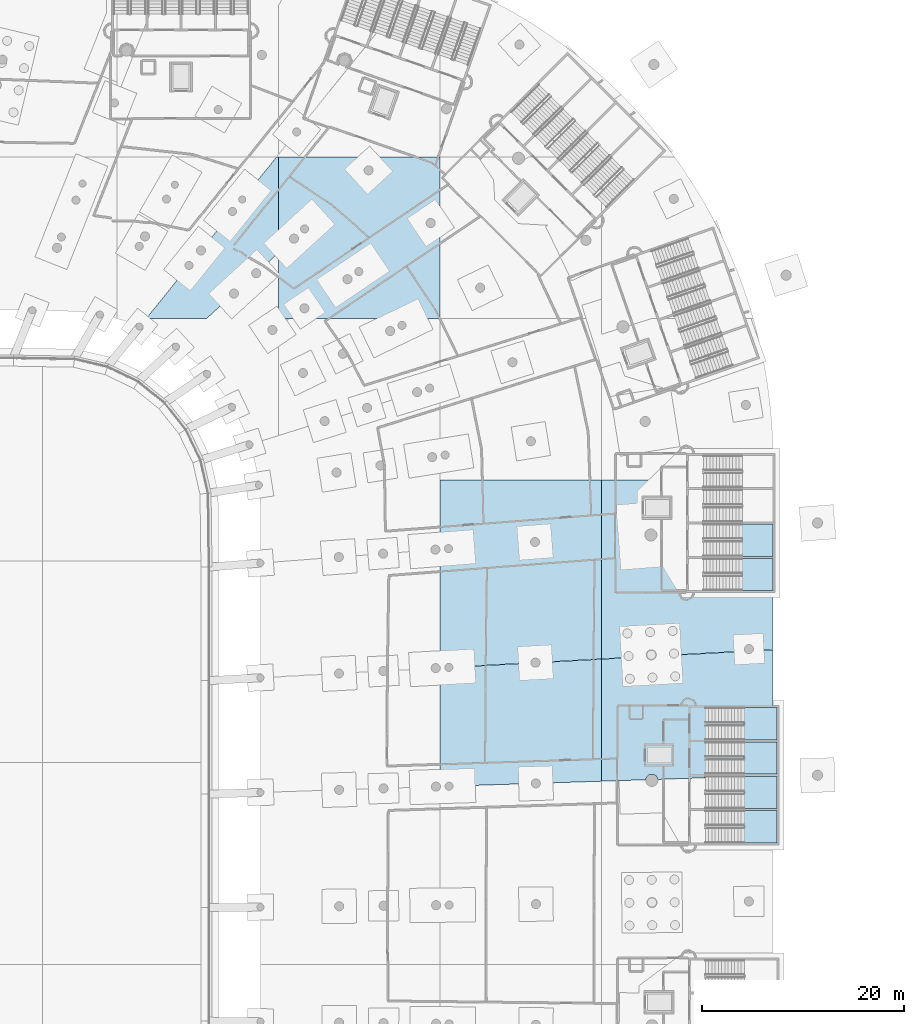
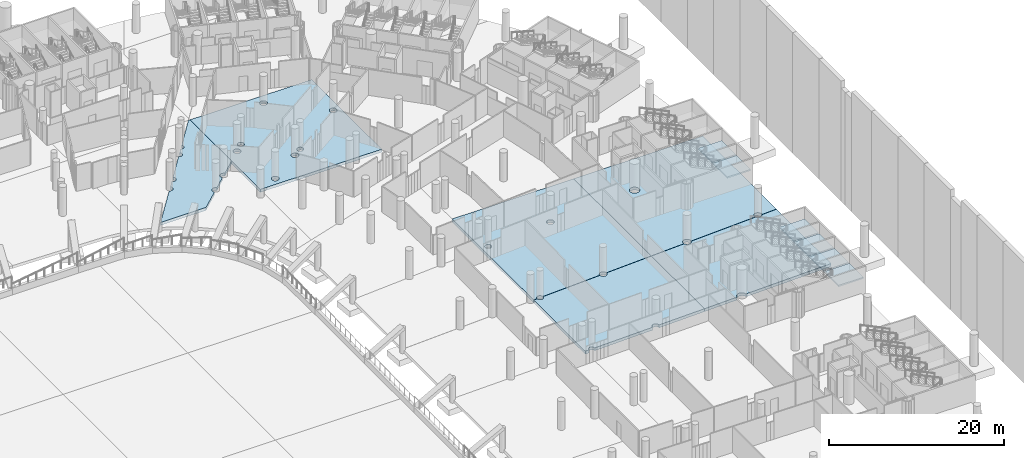
# One storey, part 32 of 142: 12 slabs, 6 elements without a shape of their own.
"""IFC4 building model written with IfcOpenShell, lengths in metres."""

from ifc_helpers import new_model, si_unit, direction, frame, origin, place, context, subcontext, project, spatial, polyline, outline, extrude, material, layer, layer_set, type_object, element, aggregate, save


model = new_model("IFC4")

# Units and contexts
model_context = context("Model", 3, precision=1e-05, world=origin(), true_north=direction((0.0, 1.0)))
body_context = subcontext(model_context, "Body", "Model", "MODEL_VIEW")
ifc_project = project(units=[si_unit("LENGTHUNIT", "METRE"), si_unit("AREAUNIT", "SQUARE_METRE"), si_unit("VOLUMEUNIT", "CUBIC_METRE"), si_unit("PLANEANGLEUNIT", "RADIAN"), si_unit("MASSUNIT", "GRAM", prefix="KILO")], contexts=[model_context])

# Site, building, storey
site_placement = place(None, origin())
site = spatial("IfcSite", under=ifc_project, at=site_placement, CompositionType="ELEMENT")
building_placement = place(site_placement, origin())
building = spatial("IfcBuilding", under=site, at=building_placement, Name="Meseta Stadium", CompositionType="ELEMENT")
storey_placement = place(building_placement, frame((0.0, 0.0, -4.0)))
storey = spatial("IfcBuildingStorey", under=building, at=storey_placement, Name="B1", CompositionType="ELEMENT", Elevation=-4.0)

# Slabs
ifc_material_1 = material(Name="Concrete C30/37", Category="concrete")
ifc_layer_1 = layer(ifc_material_1, 0.39990234375)
ifc_layer_set_1 = layer_set([ifc_layer_1], Name="Base slab 400")
slab_type_1 = type_object("IfcSlabType", Name="Base slab 400", PredefinedType="BASESLAB", material=ifc_layer_set_1)
slab_1_placement = place(storey_placement, frame((0.0, 0.0, -0.39990234375)))
element("IfcSlab", 1, at=slab_1_placement, inside=storey, type_object=slab_type_1, Name="Base slab B1 sector 00 panel 07", PredefinedType="BASESLAB", context=body_context, shape_type="SweptSolid", body=[
    extrude(outline(polyline([(64.018310546875, 29.3623046875), (64.009521484375, 29.27392578125), (64.0, 29.2421875), (64.0, 17.801513671875), (64.005615234375, 17.791015625), (64.03125, 17.706298828125), (64.03857421875, 17.6328125), (64.486328125, 17.647705078125), (64.485107421875, 17.660888671875), (64.492919921875, 17.7392578125), (64.515625, 17.814697265625), (64.552978515625, 17.884033203125), (64.602783203125, 17.945068359375), (64.663818359375, 17.9951171875), (64.7333984375, 18.031982421875), (64.80859375, 18.054931640625), (64.88720703125, 18.062744140625), (64.965576171875, 18.054931640625), (65.041015625, 18.031982421875), (65.1103515625, 17.9951171875), (65.17138671875, 17.945068359375), (65.22119140625, 17.884033203125), (65.25830078125, 17.814697265625), (65.28125, 17.7392578125), (65.28759765625, 17.673828125), (73.03173828125, 17.9287109375), (73.0302734375, 17.943603515625), (73.038818359375, 18.03173828125), (73.064697265625, 18.116455078125), (73.1064453125, 18.194580078125), (73.16259765625, 18.26318359375), (73.231201171875, 18.319580078125), (73.309326171875, 18.361328125), (73.394287109375, 18.386962890625), (73.482421875, 18.395751953125), (73.570556640625, 18.386962890625), (73.655517578125, 18.361328125), (73.733642578125, 18.319580078125), (73.80224609375, 18.26318359375), (73.8583984375, 18.194580078125), (73.900146484375, 18.116455078125), (73.92578125, 18.03173828125), (73.93310546875, 17.958251953125), (80.0, 18.157958984375), (80.0, 30.253173828125), (73.902099609375, 29.918701171875), (73.9033203125, 29.904052734375), (73.894775390625, 29.81591796875), (73.868896484375, 29.731201171875), (73.8271484375, 29.65283203125), (73.77099609375, 29.58447265625), (73.702392578125, 29.5283203125), (73.624267578125, 29.486328125), (73.53955078125, 29.460693359375), (73.451416015625, 29.451904296875), (73.363037109375, 29.460693359375), (73.2783203125, 29.486328125), (73.2001953125, 29.5283203125), (73.131591796875, 29.58447265625), (73.0751953125, 29.65283203125), (73.033447265625, 29.731201171875), (73.0078125, 29.81591796875), (73.00244140625, 29.869384765625), (65.264892578125, 29.4453125), (65.26611328125, 29.433349609375), (65.25830078125, 29.35498046875), (65.235595703125, 29.279541015625), (65.198486328125, 29.2099609375), (65.1484375, 29.149169921875), (65.08740234375, 29.09912109375), (65.01806640625, 29.06201171875), (64.942626953125, 29.0390625), (64.8642578125, 29.031494140625), (64.78564453125, 29.0390625), (64.710205078125, 29.06201171875), (64.640869140625, 29.09912109375), (64.580078125, 29.149169921875), (64.530029296875, 29.2099609375), (64.492919921875, 29.279541015625), (64.469970703125, 29.35498046875), (64.46533203125, 29.401611328125), (64.016845703125, 29.376953125), (64.018310546875, 29.3623046875)])), origin(), (0.0, 0.0, 1.0), 0.39990234375),
])
slab_2_placement = place(storey_placement, frame((0.0, 0.0, -0.39990234375)))
element("IfcSlab", 2, at=slab_2_placement, inside=storey, type_object=slab_type_1, Name="Base slab B1 sector 00 panel 15", PredefinedType="BASESLAB", context=body_context, shape_type="SweptSolid", body=[
    extrude(outline(polyline([(84.570068359375, 30.326416015625), (84.507568359375, 30.402587890625), (84.461181640625, 30.489501953125), (84.458740234375, 30.49755859375), (80.0, 30.253173828125), (80.0, 18.157958984375), (84.381591796875, 18.302001953125), (84.38720703125, 18.361083984375), (84.421630859375, 18.474365234375), (84.477294921875, 18.57861328125), (84.55224609375, 18.669921875), (84.643798828125, 18.744873046875), (84.747802734375, 18.800537109375), (84.861083984375, 18.8349609375), (84.978515625, 18.846435546875), (85.09619140625, 18.8349609375), (85.209228515625, 18.800537109375), (85.313720703125, 18.744873046875), (85.40478515625, 18.669921875), (85.47998046875, 18.57861328125), (85.53564453125, 18.474365234375), (85.56982421875, 18.361083984375), (85.572021484375, 18.34130859375), (97.00048828125, 18.717041015625), (97.00146484375, 31.185302734375), (95.017578125, 31.076416015625), (94.97607421875, 30.998779296875), (94.919677734375, 30.930419921875), (94.851318359375, 30.8740234375), (94.77294921875, 30.832275390625), (94.688232421875, 30.806396484375), (94.60009765625, 30.7978515625), (94.51171875, 30.806396484375), (94.427001953125, 30.832275390625), (94.348876953125, 30.8740234375), (94.2802734375, 30.930419921875), (94.22412109375, 30.998779296875), (94.206298828125, 31.031982421875), (85.40771484375, 30.549560546875), (85.389404296875, 30.489501953125), (85.343017578125, 30.402587890625), (85.280517578125, 30.326416015625), (85.20458984375, 30.263916015625), (85.11767578125, 30.217529296875), (85.023193359375, 30.18896484375), (84.92529296875, 30.17919921875), (84.827392578125, 30.18896484375), (84.733154296875, 30.217529296875), (84.646240234375, 30.263916015625), (84.570068359375, 30.326416015625)])), origin(), (0.0, 0.0, 1.0), 0.39990234375),
])
slab_3_placement = place(storey_placement, frame((0.0, 0.0, -0.39990234375)))
element("IfcSlab", 3, at=slab_3_placement, inside=storey, type_object=slab_type_1, Name="Base slab B1 sector 07 panel 01", PredefinedType="BASESLAB", context=body_context, shape_type="SweptSolid", body=[
    extrude(outline(polyline([(38.895263671875, 68.9404296875), (38.875, 68.95703125), (34.87451171875, 64.0), (40.861572265625, 64.0), (43.237060546875, 66.174560546875), (43.193359375, 66.2275390625), (43.151611328125, 66.305908203125), (43.1259765625, 66.390625), (43.1171875, 66.478759765625), (43.1259765625, 66.56689453125), (43.151611328125, 66.65185546875), (43.193359375, 66.72998046875), (43.249755859375, 66.798583984375), (43.318115234375, 66.854736328125), (43.396484375, 66.896484375), (43.481201171875, 66.92236328125), (43.5693359375, 66.930908203125), (43.65771484375, 66.92236328125), (43.742431640625, 66.896484375), (43.820556640625, 66.854736328125), (43.88916015625, 66.798583984375), (43.90185546875, 66.783203125), (45.444580078125, 68.195556640625), (45.401123046875, 68.24853515625), (45.359375, 68.326904296875), (45.33349609375, 68.41162109375), (45.324951171875, 68.499755859375), (45.33349609375, 68.587890625), (45.359375, 68.6728515625), (45.401123046875, 68.7509765625), (45.45751953125, 68.819580078125), (45.52587890625, 68.875732421875), (45.60400390625, 68.91748046875), (45.68896484375, 68.943359375), (45.777099609375, 68.951904296875), (45.865234375, 68.943359375), (45.9501953125, 68.91748046875), (46.0283203125, 68.875732421875), (46.096923828125, 68.819580078125), (46.109619140625, 68.80419921875), (48.0, 70.53466796875), (48.0, 80.0), (47.787353515625, 80.0), (44.61767578125, 76.072509765625), (44.638671875, 76.05517578125), (44.6826171875, 76.001708984375), (44.715087890625, 75.94091796875), (44.735107421875, 75.875), (44.74169921875, 75.806396484375), (44.735107421875, 75.73779296875), (44.715087890625, 75.671875), (44.6826171875, 75.611083984375), (44.638671875, 75.5576171875), (44.58544921875, 75.513916015625), (44.524658203125, 75.4814453125), (44.458740234375, 75.46142578125), (44.389892578125, 75.45458984375), (44.3212890625, 75.46142578125), (44.255615234375, 75.4814453125), (44.194580078125, 75.513916015625), (44.177978515625, 75.527587890625), (43.689453125, 74.92236328125), (43.714599609375, 74.901611328125), (43.7646484375, 74.8408203125), (43.8017578125, 74.771240234375), (43.82470703125, 74.69580078125), (43.83251953125, 74.617431640625), (43.82470703125, 74.5390625), (43.8017578125, 74.463623046875), (43.7646484375, 74.39404296875), (43.714599609375, 74.333251953125), (43.65380859375, 74.283203125), (43.584228515625, 74.24609375), (43.5087890625, 74.22314453125), (43.430419921875, 74.215576171875), (43.35205078125, 74.22314453125), (43.276611328125, 74.24609375), (43.207275390625, 74.283203125), (43.18701171875, 74.2998046875), (40.59814453125, 71.092041015625), (40.627685546875, 71.06787109375), (40.683837890625, 70.99951171875), (40.7255859375, 70.921142578125), (40.751220703125, 70.83642578125), (40.760009765625, 70.748291015625), (40.751220703125, 70.659912109375), (40.7255859375, 70.5751953125), (40.683837890625, 70.4970703125), (40.627685546875, 70.428466796875), (40.55908203125, 70.372314453125), (40.48095703125, 70.330322265625), (40.39599609375, 70.3046875), (40.307861328125, 70.2958984375), (40.219482421875, 70.3046875), (40.134765625, 70.330322265625), (40.056640625, 70.372314453125), (40.032958984375, 70.3916015625), (39.377685546875, 69.57958984375), (39.40283203125, 69.558837890625), (39.452880859375, 69.498046875), (39.489990234375, 69.428466796875), (39.5126953125, 69.35302734375), (39.5205078125, 69.274658203125), (39.5126953125, 69.1962890625), (39.489990234375, 69.120849609375), (39.452880859375, 69.051513671875), (39.40283203125, 68.990478515625), (39.341796875, 68.9404296875), (39.2724609375, 68.9033203125), (39.197021484375, 68.880615234375), (39.11865234375, 68.872802734375), (39.040283203125, 68.880615234375), (38.96484375, 68.9033203125), (38.895263671875, 68.9404296875)])), origin(), (0.0, 0.0, 1.0), 0.39990234375),
])
slab_4_placement = place(storey_placement, frame((0.0, 0.0, -0.39990234375)))
element("IfcSlab", 4, at=slab_4_placement, inside=storey, type_object=slab_type_1, Name="Base slab B1 sector 07 panel 06", PredefinedType="BASESLAB", context=body_context, shape_type="SweptSolid", body=[
    extrude(outline(polyline([(48.0, 80.0), (48.0, 64.0), (64.0, 64.0), (64.0, 80.0), (48.0, 80.0)]), holes=[polyline([(63.156494140625, 73.913330078125), (63.2412109375, 73.8876953125), (63.3193359375, 73.845703125), (63.387939453125, 73.78955078125), (63.44287109375, 73.72265625), (63.48583984375, 73.642822265625), (63.51171875, 73.55810546875), (63.5205078125, 73.469970703125), (63.51171875, 73.381591796875), (63.48583984375, 73.296875), (63.444091796875, 73.218505859375), (63.387939453125, 73.150146484375), (63.3193359375, 73.093994140625), (63.2412109375, 73.052001953125), (63.156494140625, 73.0263671875), (63.068115234375, 73.017578125), (62.97998046875, 73.0263671875), (62.89501953125, 73.052001953125), (62.81689453125, 73.093994140625), (62.748291015625, 73.150146484375), (62.693603515625, 73.217041015625), (62.650390625, 73.296875), (62.624755859375, 73.381591796875), (62.615966796875, 73.469970703125), (62.624755859375, 73.55810546875), (62.650390625, 73.642822265625), (62.692138671875, 73.72119140625), (62.748291015625, 73.78955078125), (62.81689453125, 73.845703125), (62.89501953125, 73.8876953125), (62.97998046875, 73.913330078125), (63.068115234375, 73.922119140625), (63.156494140625, 73.913330078125)]), polyline([(56.018798828125, 69.05224609375), (56.093994140625, 69.029296875), (56.16357421875, 68.9921875), (56.224609375, 68.9423828125), (56.273193359375, 68.8828125), (56.3115234375, 68.81201171875), (56.33447265625, 68.736572265625), (56.34228515625, 68.658203125), (56.33447265625, 68.57958984375), (56.3115234375, 68.50439453125), (56.2744140625, 68.434814453125), (56.224609375, 68.373779296875), (56.16357421875, 68.323974609375), (56.093994140625, 68.28662109375), (56.018798828125, 68.263916015625), (55.940185546875, 68.256103515625), (55.86181640625, 68.263916015625), (55.78662109375, 68.28662109375), (55.717041015625, 68.323974609375), (55.656005859375, 68.373779296875), (55.607421875, 68.433349609375), (55.56884765625, 68.50439453125), (55.546142578125, 68.57958984375), (55.538330078125, 68.658203125), (55.546142578125, 68.736572265625), (55.56884765625, 68.81201171875), (55.606201171875, 68.88134765625), (55.656005859375, 68.9423828125), (55.717041015625, 68.9921875), (55.78662109375, 69.029296875), (55.86181640625, 69.05224609375), (55.940185546875, 69.06005859375), (56.018798828125, 69.05224609375)]), polyline([(54.90771484375, 68.344970703125), (54.99267578125, 68.3193359375), (55.07080078125, 68.277587890625), (55.139404296875, 68.22119140625), (55.194091796875, 68.154541015625), (55.2373046875, 68.07470703125), (55.26318359375, 67.98974609375), (55.271728515625, 67.901611328125), (55.26318359375, 67.813232421875), (55.2373046875, 67.728515625), (55.195556640625, 67.650390625), (55.139404296875, 67.581787109375), (55.07080078125, 67.525634765625), (54.99267578125, 67.48388671875), (54.90771484375, 67.4580078125), (54.819580078125, 67.449462890625), (54.7314453125, 67.4580078125), (54.646484375, 67.48388671875), (54.568359375, 67.525634765625), (54.5, 67.581787109375), (54.445068359375, 67.648681640625), (54.40185546875, 67.728515625), (54.376220703125, 67.813232421875), (54.367431640625, 67.901611328125), (54.376220703125, 67.98974609375), (54.40185546875, 68.07470703125), (54.443603515625, 68.15283203125), (54.5, 68.22119140625), (54.568359375, 68.277587890625), (54.646484375, 68.3193359375), (54.7314453125, 68.344970703125), (54.819580078125, 68.353759765625), (54.90771484375, 68.344970703125)]), polyline([(50.64111328125, 65.46484375), (50.72607421875, 65.43896484375), (50.80419921875, 65.397216796875), (50.872802734375, 65.341064453125), (50.927490234375, 65.274169921875), (50.970703125, 65.1943359375), (50.996337890625, 65.109619140625), (51.005126953125, 65.021240234375), (50.996337890625, 64.93310546875), (50.970703125, 64.84814453125), (50.928955078125, 64.77001953125), (50.872802734375, 64.701416015625), (50.80419921875, 64.645263671875), (50.72607421875, 64.603515625), (50.64111328125, 64.577880859375), (50.552978515625, 64.569091796875), (50.464599609375, 64.577880859375), (50.3798828125, 64.603515625), (50.3017578125, 64.645263671875), (50.233154296875, 64.701416015625), (50.178466796875, 64.768310546875), (50.13525390625, 64.84814453125), (50.109375, 64.93310546875), (50.100830078125, 65.021240234375), (50.109375, 65.109619140625), (50.13525390625, 65.1943359375), (50.177001953125, 65.2724609375), (50.233154296875, 65.341064453125), (50.3017578125, 65.397216796875), (50.3798828125, 65.43896484375), (50.464599609375, 65.46484375), (50.552978515625, 65.473388671875), (50.64111328125, 65.46484375)]), polyline([(49.198486328125, 72.244384765625), (49.26708984375, 72.300537109375), (49.34521484375, 72.34228515625), (49.43017578125, 72.3681640625), (49.518310546875, 72.376708984375), (49.606689453125, 72.3681640625), (49.69140625, 72.34228515625), (49.76953125, 72.300537109375), (49.838134765625, 72.244384765625), (49.894287109375, 72.17578125), (49.93603515625, 72.09765625), (49.9619140625, 72.0126953125), (49.970458984375, 71.924560546875), (49.9619140625, 71.83642578125), (49.93603515625, 71.751708984375), (49.894287109375, 71.67333984375), (49.838134765625, 71.60498046875), (49.76953125, 71.548583984375), (49.69140625, 71.5068359375), (49.606689453125, 71.481201171875), (49.518310546875, 71.472412109375), (49.43017578125, 71.481201171875), (49.34521484375, 71.5068359375), (49.26708984375, 71.548583984375), (49.198486328125, 71.60498046875), (49.142333984375, 71.67333984375), (49.1005859375, 71.751708984375), (49.074951171875, 71.83642578125), (49.066162109375, 71.924560546875), (49.074951171875, 72.0126953125), (49.1005859375, 72.09765625), (49.142333984375, 72.17578125), (49.198486328125, 72.244384765625)]), polyline([(56.826904296875, 79.13916015625), (56.9150390625, 79.14794921875), (57.003173828125, 79.13916015625), (57.088134765625, 79.113525390625), (57.166259765625, 79.07177734375), (57.23486328125, 79.015380859375), (57.291015625, 78.947021484375), (57.332763671875, 78.868896484375), (57.3583984375, 78.783935546875), (57.3671875, 78.69580078125), (57.3583984375, 78.607421875), (57.332763671875, 78.522705078125), (57.291015625, 78.444580078125), (57.23486328125, 78.3759765625), (57.166259765625, 78.319580078125), (57.088134765625, 78.278076171875), (57.003173828125, 78.252197265625), (56.9150390625, 78.243408203125), (56.826904296875, 78.252197265625), (56.741943359375, 78.278076171875), (56.663818359375, 78.319580078125), (56.59521484375, 78.3759765625), (56.5390625, 78.444580078125), (56.497314453125, 78.522705078125), (56.471435546875, 78.607421875), (56.462890625, 78.69580078125), (56.471435546875, 78.783935546875), (56.497314453125, 78.868896484375), (56.5390625, 78.947021484375), (56.59521484375, 79.015380859375), (56.663818359375, 79.07177734375), (56.741943359375, 79.113525390625), (56.826904296875, 79.13916015625)]), polyline([(50.4931640625, 73.282958984375), (50.571533203125, 73.290771484375), (50.64990234375, 73.282958984375), (50.725341796875, 73.260009765625), (50.794921875, 73.222900390625), (50.855712890625, 73.173095703125), (50.90576171875, 73.112060546875), (50.94287109375, 73.04248046875), (50.9658203125, 72.96728515625), (50.973388671875, 72.888916015625), (50.9658203125, 72.810302734375), (50.94287109375, 72.735107421875), (50.90576171875, 72.66552734375), (50.855712890625, 72.6044921875), (50.794921875, 72.5546875), (50.725341796875, 72.517333984375), (50.64990234375, 72.49462890625), (50.571533203125, 72.48681640625), (50.4931640625, 72.49462890625), (50.417724609375, 72.517333984375), (50.348388671875, 72.5546875), (50.287353515625, 72.6044921875), (50.2373046875, 72.66552734375), (50.2001953125, 72.735107421875), (50.177490234375, 72.810302734375), (50.169677734375, 72.888916015625), (50.177490234375, 72.96728515625), (50.2001953125, 73.04248046875), (50.2373046875, 73.112060546875), (50.287353515625, 73.173095703125), (50.348388671875, 73.222900390625), (50.417724609375, 73.260009765625), (50.4931640625, 73.282958984375)])]), origin(), (0.0, 0.0, 1.0), 0.39990234375),
])
slab_5_placement = place(storey_placement, frame((0.0, 0.0, -0.39990234375)))
element("IfcSlab", 5, at=slab_5_placement, inside=storey, type_object=slab_type_1, Name="Base slab B1 sector 07 panel 09", PredefinedType="BASESLAB", context=body_context, shape_type="SweptSolid", body=[
    extrude(outline(polyline([(73.702392578125, 30.280029296875), (73.77099609375, 30.223876953125), (73.8271484375, 30.1552734375), (73.868896484375, 30.0771484375), (73.894775390625, 29.9921875), (73.89990234375, 29.938720703125), (80.0, 30.273193359375), (80.0, 48.0), (64.0, 48.0), (64.0, 29.482177734375), (64.009521484375, 29.450439453125), (64.014892578125, 29.396728515625), (64.46337890625, 29.42138671875), (64.462158203125, 29.433349609375), (64.469970703125, 29.51171875), (64.492919921875, 29.587158203125), (64.530029296875, 29.656494140625), (64.580078125, 29.717529296875), (64.640869140625, 29.767578125), (64.710205078125, 29.8046875), (64.78564453125, 29.82763671875), (64.8642578125, 29.835205078125), (64.942626953125, 29.82763671875), (65.01806640625, 29.8046875), (65.08740234375, 29.767578125), (65.1484375, 29.717529296875), (65.198486328125, 29.656494140625), (65.235595703125, 29.587158203125), (65.25830078125, 29.51171875), (65.262939453125, 29.465087890625), (73.00048828125, 29.889404296875), (72.9990234375, 29.904052734375), (73.0078125, 29.9921875), (73.033447265625, 30.0771484375), (73.0751953125, 30.1552734375), (73.131591796875, 30.223876953125), (73.2001953125, 30.280029296875), (73.2783203125, 30.322021484375), (73.363037109375, 30.34765625), (73.451416015625, 30.356201171875), (73.53955078125, 30.34765625), (73.624267578125, 30.322021484375), (73.702392578125, 30.280029296875)]), holes=[polyline([(64.45849609375, 41.05029296875), (64.435791015625, 41.12548828125), (64.427978515625, 41.2041015625), (64.435791015625, 41.282470703125), (64.45849609375, 41.35791015625), (64.49560546875, 41.427490234375), (64.545654296875, 41.48828125), (64.606689453125, 41.5380859375), (64.676025390625, 41.575439453125), (64.75146484375, 41.598388671875), (64.829833984375, 41.60595703125), (64.908203125, 41.598388671875), (64.983642578125, 41.575439453125), (65.05322265625, 41.5380859375), (65.114013671875, 41.48828125), (65.1640625, 41.427490234375), (65.201171875, 41.35791015625), (65.22412109375, 41.282470703125), (65.231689453125, 41.2041015625), (65.22412109375, 41.12548828125), (65.201171875, 41.05029296875), (65.1640625, 40.980712890625), (65.114013671875, 40.919921875), (65.05322265625, 40.869873046875), (64.983642578125, 40.832763671875), (64.908203125, 40.809814453125), (64.829833984375, 40.802001953125), (64.75146484375, 40.809814453125), (64.676025390625, 40.832763671875), (64.606689453125, 40.869873046875), (64.545654296875, 40.919921875), (64.49560546875, 40.980712890625), (64.45849609375, 41.05029296875)]), polyline([(72.98681640625, 41.689208984375), (72.961181640625, 41.77392578125), (72.952392578125, 41.8623046875), (72.961181640625, 41.950439453125), (72.98681640625, 42.03515625), (73.02880859375, 42.11328125), (73.0849609375, 42.181884765625), (73.153564453125, 42.23828125), (73.231689453125, 42.280029296875), (73.31640625, 42.3056640625), (73.40478515625, 42.314453125), (73.492919921875, 42.3056640625), (73.57763671875, 42.280029296875), (73.656005859375, 42.23828125), (73.724365234375, 42.181884765625), (73.78076171875, 42.11328125), (73.822509765625, 42.03515625), (73.84814453125, 41.950439453125), (73.85693359375, 41.8623046875), (73.84814453125, 41.77392578125), (73.822509765625, 41.689208984375), (73.78076171875, 41.611083984375), (73.724365234375, 41.54248046875), (73.656005859375, 41.486083984375), (73.57763671875, 41.4443359375), (73.492919921875, 41.418701171875), (73.40478515625, 41.409912109375), (73.31640625, 41.418701171875), (73.231689453125, 41.4443359375), (73.153564453125, 41.486083984375), (73.0849609375, 41.54248046875), (73.02880859375, 41.611083984375), (72.98681640625, 41.689208984375)])]), origin(), (0.0, 0.0, 1.0), 0.39990234375),
])
slab_6_placement = place(storey_placement, frame((0.0, 0.0, -0.39990234375)))
element("IfcSlab", 6, at=slab_6_placement, inside=storey, type_object=slab_type_1, Name="Base slab B1 sector 07 panel 15", PredefinedType="BASESLAB", context=body_context, shape_type="SweptSolid", body=[
    extrude(outline(polyline([(94.51171875, 31.693603515625), (94.60009765625, 31.7021484375), (94.688232421875, 31.693603515625), (94.77294921875, 31.667724609375), (94.851318359375, 31.6259765625), (94.919677734375, 31.569580078125), (94.97607421875, 31.501220703125), (95.017822265625, 31.423095703125), (95.04345703125, 31.338134765625), (95.05224609375, 31.25), (95.04345703125, 31.161865234375), (95.023681640625, 31.0966796875), (97.00146484375, 31.205322265625), (97.00341796875, 48.0), (80.0, 48.0), (80.0, 30.273193359375), (84.45263671875, 30.517333984375), (84.4326171875, 30.583740234375), (84.4228515625, 30.681640625), (84.4326171875, 30.77978515625), (84.461181640625, 30.8740234375), (84.507568359375, 30.960693359375), (84.570068359375, 31.037109375), (84.646240234375, 31.099609375), (84.733154296875, 31.14599609375), (84.827392578125, 31.174560546875), (84.92529296875, 31.18408203125), (85.023193359375, 31.174560546875), (85.11767578125, 31.14599609375), (85.20458984375, 31.099609375), (85.280517578125, 31.037109375), (85.343017578125, 30.960693359375), (85.389404296875, 30.8740234375), (85.418212890625, 30.77978515625), (85.427734375, 30.681640625), (85.418212890625, 30.583740234375), (85.413818359375, 30.570068359375), (94.19580078125, 31.051513671875), (94.18212890625, 31.076904296875), (94.156494140625, 31.161865234375), (94.147705078125, 31.25), (94.156494140625, 31.338134765625), (94.18212890625, 31.423095703125), (94.22412109375, 31.501220703125), (94.2802734375, 31.569580078125), (94.348876953125, 31.6259765625), (94.427001953125, 31.667724609375), (94.51171875, 31.693603515625)]), holes=[polyline([(84.326904296875, 42.330810546875), (84.292724609375, 42.44384765625), (84.281005859375, 42.5615234375), (84.292724609375, 42.67919921875), (84.326904296875, 42.792236328125), (84.3828125, 42.896484375), (84.457763671875, 42.98779296875), (84.549072265625, 43.062744140625), (84.6533203125, 43.118408203125), (84.766357421875, 43.15283203125), (84.884033203125, 43.164306640625), (85.001708984375, 43.15283203125), (85.11474609375, 43.118408203125), (85.218994140625, 43.062744140625), (85.310302734375, 42.98779296875), (85.38525390625, 42.896484375), (85.44091796875, 42.792236328125), (85.475341796875, 42.67919921875), (85.48681640625, 42.5615234375), (85.475341796875, 42.44384765625), (85.44091796875, 42.330810546875), (85.38525390625, 42.2265625), (85.310302734375, 42.13525390625), (85.218994140625, 42.060302734375), (85.11474609375, 42.00439453125), (85.001708984375, 41.97021484375), (84.884033203125, 41.95849609375), (84.766357421875, 41.97021484375), (84.6533203125, 42.00439453125), (84.549072265625, 42.060302734375), (84.457763671875, 42.13525390625), (84.3828125, 42.2265625), (84.326904296875, 42.330810546875)])]), origin(), (0.0, 0.0, 1.0), 0.39990234375),
])

# Stair, slab
ifc_material_2 = material(Name="Concrete C40/50", Category="concrete")
stair_type = type_object("IfcStairType", Name="Exit stair 2 flights 154 mm risers", PredefinedType="HALF_TURN_STAIR", material=ifc_material_2)
stair_1_placement = place(storey_placement, origin())
stair_1 = element("IfcStair", 7, at=stair_1_placement, inside=storey, type_object=stair_type, Name="ST13 B1", PredefinedType="HALF_TURN_STAIR")
ifc_material_3 = material(Name="Concrete C40/50", Category="concrete")
ifc_layer_2 = layer(ifc_material_3, 0.199951171875)
ifc_layer_set_2 = layer_set([ifc_layer_2], Name="Stair landing 200")
slab_type_2 = type_object("IfcSlabType", Name="Stair landing 200", PredefinedType="LANDING", material=ifc_layer_set_2)
slab_7_placement = place(storey_placement, frame((0.0, 0.0, 1.800048828125)))
slab_7 = element("IfcSlab", 8, at=slab_7_placement, type_object=slab_type_2, Name="ST13 B1 landing 1", PredefinedType="LANDING", context=body_context, shape_type="SweptSolid", body=[
    extrude(outline(polyline([(94.1298828125, 12.050048828125), (97.39990234375, 12.050048828125), (97.39990234375, 15.25), (94.1298828125, 15.25), (94.1298828125, 12.050048828125)])), origin(), (0.0, 0.0, 1.0), 0.199951171875),
])
aggregate(stair_1, [slab_7])

stair_2_placement = place(storey_placement, origin())
stair_2 = element("IfcStair", 9, at=stair_2_placement, inside=storey, type_object=stair_type, Name="ST14 B1", PredefinedType="HALF_TURN_STAIR")
slab_8_placement = place(storey_placement, frame((0.0, 0.0, 1.800048828125)))
slab_8 = element("IfcSlab", 10, at=slab_8_placement, type_object=slab_type_2, Name="ST14 B1 landing 1", PredefinedType="LANDING", context=body_context, shape_type="SweptSolid", body=[
    extrude(outline(polyline([(94.1298828125, 15.449951171875), (97.39990234375, 15.449951171875), (97.39990234375, 18.64990234375), (94.1298828125, 18.64990234375), (94.1298828125, 15.449951171875)])), origin(), (0.0, 0.0, 1.0), 0.199951171875),
])
aggregate(stair_2, [slab_8])

stair_3_placement = place(storey_placement, origin())
stair_3 = element("IfcStair", 11, at=stair_3_placement, inside=storey, type_object=stair_type, Name="ST15 B1", PredefinedType="HALF_TURN_STAIR")
slab_9_placement = place(storey_placement, frame((0.0, 0.0, 1.800048828125)))
slab_9 = element("IfcSlab", 12, at=slab_9_placement, type_object=slab_type_2, Name="ST15 B1 landing 1", PredefinedType="LANDING", context=body_context, shape_type="SweptSolid", body=[
    extrude(outline(polyline([(94.1298828125, 18.85009765625), (97.39990234375, 18.85009765625), (97.39990234375, 22.050048828125), (94.1298828125, 22.050048828125), (94.1298828125, 18.85009765625)])), origin(), (0.0, 0.0, 1.0), 0.199951171875),
])
aggregate(stair_3, [slab_9])

stair_4_placement = place(storey_placement, origin())
stair_4 = element("IfcStair", 13, at=stair_4_placement, inside=storey, type_object=stair_type, Name="ST16 B1", PredefinedType="HALF_TURN_STAIR")
slab_10_placement = place(storey_placement, frame((0.0, 0.0, 1.800048828125)))
slab_10 = element("IfcSlab", 14, at=slab_10_placement, type_object=slab_type_2, Name="ST16 B1 landing 1", PredefinedType="LANDING", context=body_context, shape_type="SweptSolid", body=[
    extrude(outline(polyline([(94.1298828125, 22.25), (97.39990234375, 22.25), (97.39990234375, 25.449951171875), (94.1298828125, 25.449951171875), (94.1298828125, 22.25)])), origin(), (0.0, 0.0, 1.0), 0.199951171875),
])
aggregate(stair_4, [slab_10])

stair_5_placement = place(storey_placement, origin())
stair_5 = element("IfcStair", 15, at=stair_5_placement, inside=storey, type_object=stair_type, Name="ST17 B1", PredefinedType="HALF_TURN_STAIR")
slab_11_placement = place(storey_placement, frame((0.0, 0.0, 1.800048828125)))
slab_11 = element("IfcSlab", 16, at=slab_11_placement, type_object=slab_type_2, Name="ST17 B1 landing 1", PredefinedType="LANDING", context=body_context, shape_type="SweptSolid", body=[
    extrude(outline(polyline([(93.929931640625, 37.050048828125), (97.0, 37.050048828125), (97.0, 40.25), (93.929931640625, 40.25), (93.929931640625, 37.050048828125)])), origin(), (0.0, 0.0, 1.0), 0.199951171875),
])
aggregate(stair_5, [slab_11])

stair_6_placement = place(storey_placement, origin())
stair_6 = element("IfcStair", 17, at=stair_6_placement, inside=storey, type_object=stair_type, Name="ST18 B1", PredefinedType="HALF_TURN_STAIR")
slab_12_placement = place(storey_placement, frame((0.0, 0.0, 1.800048828125)))
slab_12 = element("IfcSlab", 18, at=slab_12_placement, type_object=slab_type_2, Name="ST18 B1 landing 1", PredefinedType="LANDING", context=body_context, shape_type="SweptSolid", body=[
    extrude(outline(polyline([(93.929931640625, 40.449951171875), (97.0, 40.449951171875), (97.0, 43.64990234375), (93.929931640625, 43.64990234375), (93.929931640625, 40.449951171875)])), origin(), (0.0, 0.0, 1.0), 0.199951171875),
])
aggregate(stair_6, [slab_12])

save(model, "model.ifc")
